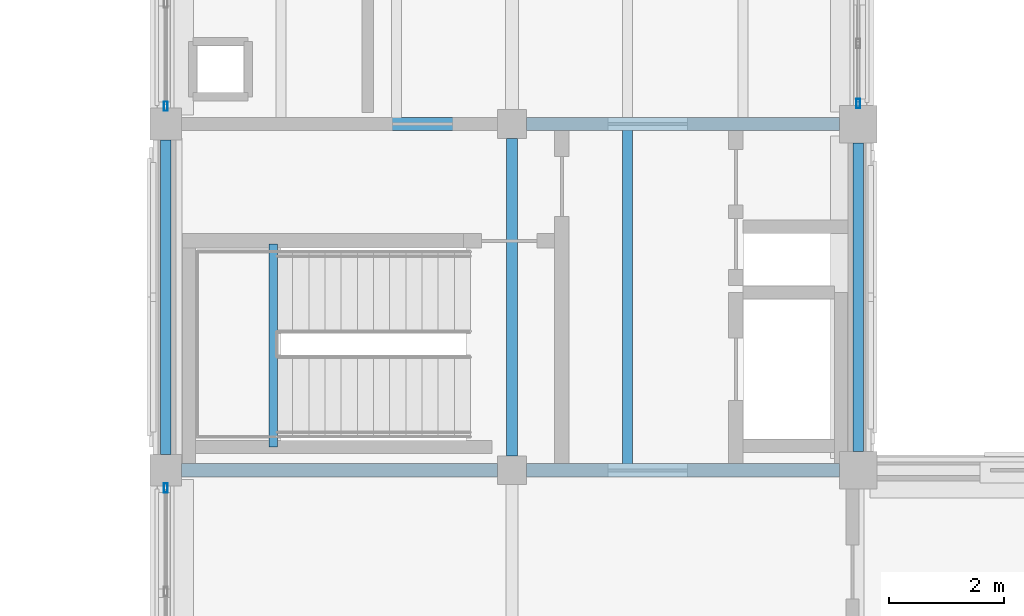
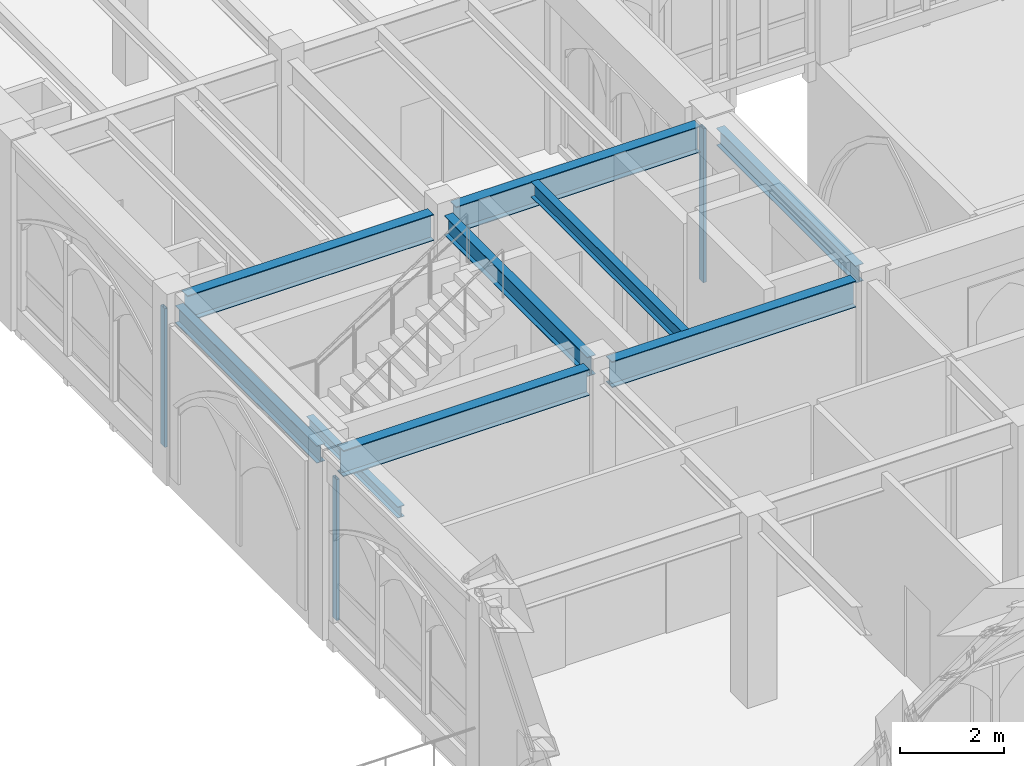
# One storey, part 45 of 143: 9 beams, 3 members, 3 elements without a shape of their own.
"""IFC4 building model written with IfcOpenShell, lengths in metres."""

from ifc_helpers import new_model, si_unit, direction, frame, origin, origin_2d, place, context, subcontext, project, spatial, hollow_rectangle, i_section, extrude, material, layer, layer_set, material_profile, profile_set, type_object, element, aggregate, save


model = new_model("IFC4")

# Units and contexts
model_context = context("Model", 3, precision=1e-05, world=origin(), true_north=direction((0.0, 1.0)))
body_context = subcontext(model_context, "Body", "Model", "MODEL_VIEW")
ifc_project = project(units=[si_unit("LENGTHUNIT", "METRE"), si_unit("AREAUNIT", "SQUARE_METRE"), si_unit("VOLUMEUNIT", "CUBIC_METRE"), si_unit("PLANEANGLEUNIT", "RADIAN"), si_unit("MASSUNIT", "GRAM", prefix="KILO")], contexts=[model_context])

# Site, building, storey
site_placement = place(None, origin())
site = spatial("IfcSite", under=ifc_project, at=site_placement, CompositionType="ELEMENT")
building_placement = place(site_placement, origin())
building = spatial("IfcBuilding", under=site, at=building_placement, Name="Cumevento Cable Car Station", CompositionType="ELEMENT")
storey_placement = place(building_placement, frame((0.0, 0.0, 9.0)))
storey = spatial("IfcBuildingStorey", under=building, at=storey_placement, Name="L03", CompositionType="ELEMENT", Elevation=9.0)

# Curtain wall, member
ifc_material_1 = material(Name="Anodised Bronze Aluminium AW-6063-T6", Category="aluminium")
ifc_layer_1 = layer(ifc_material_1, 0.243896484375)
ifc_layer_set_1 = layer_set([ifc_layer_1], Name="Anodised Bronze Aluminium AW-6063-T6")
curtain_wall_type_1 = type_object("IfcCurtainWallType", Name="Lancet Curtain Wall CW-15 1610", PredefinedType="NOTDEFINED", material=ifc_layer_set_1)
curtain_wall_1_placement = place(storey_placement, origin())
curtain_wall_1 = element("IfcCurtainWall", 1, at=curtain_wall_1_placement, inside=storey, type_object=curtain_wall_type_1, Name="Lancet Curtain Wall CW-15 L03 #126", PredefinedType="NOTDEFINED")
ifc_material_2 = material(Name="Anodised Bronze Aluminium AW-6063-T6", Category="aluminium")
ifc_material_profile_1 = material_profile(ifc_material_2, hollow_rectangle(XDim=0.06494140625, YDim=0.159912109375, WallThickness=0.00390625, at=origin_2d()), Name="ALUM65x160x4")
ifc_profile_set_1 = profile_set([ifc_material_profile_1], Name="Anodised Bronze Aluminium AW-6063-T6")
member_type = type_object("IfcMemberType", Name="Curtain Mullion CWM-01 ALUM65x160x4", PredefinedType="MULLION", material=ifc_profile_set_1)
member_1_placement = place(storey_placement, frame((118.0, 20.6923828125, 0.4599609375), z_axis=(0.0, 0.0, 1.0), x_axis=(-1.0, 0.0, 0.0)))
member_1 = element("IfcMember", 2, at=member_1_placement, type_object=member_type, Name="CW-15 mullion 4", PredefinedType="MULLION", context=body_context, shape_type="SweptSolid", body=[
    extrude(hollow_rectangle(XDim=0.06494140625, YDim=0.159912109375, WallThickness=0.00390625, at=origin_2d()), origin(), (0.0, 0.0, 1.0), 3.318115234375),
])
aggregate(curtain_wall_1, [member_1])

ifc_material_3 = material(Name="Anodised Bronze Aluminium AW-6063-T6", Category="aluminium")
ifc_layer_2 = layer(ifc_material_3, 0.25)
ifc_layer_set_2 = layer_set([ifc_layer_2], Name="Anodised Bronze Aluminium AW-6063-T6")
curtain_wall_type_2 = type_object("IfcCurtainWallType", Name="Lancet Curtain Wall CW-16 1650", PredefinedType="NOTDEFINED", material=ifc_layer_set_2)
curtain_wall_2_placement = place(storey_placement, origin())
curtain_wall_2 = element("IfcCurtainWall", 3, at=curtain_wall_2_placement, inside=storey, type_object=curtain_wall_type_2, Name="Lancet Curtain Wall CW-16 L03 #127", PredefinedType="NOTDEFINED")
member_2_placement = place(storey_placement, frame((118.0, 27.3076171875, 0.52001953125), z_axis=(0.0, 0.0, 1.0), x_axis=(-1.0, 0.0, 0.0)))
member_2 = element("IfcMember", 4, at=member_2_placement, type_object=member_type, Name="CW-16 mullion 1", PredefinedType="MULLION", context=body_context, shape_type="SweptSolid", body=[
    extrude(hollow_rectangle(XDim=0.06494140625, YDim=0.159912109375, WallThickness=0.00390625, at=origin_2d()), origin(), (0.0, 0.0, 1.0), 3.258056640625),
])
aggregate(curtain_wall_2, [member_2])

ifc_material_4 = material(Name="Anodised Bronze Aluminium AW-6063-T6", Category="aluminium")
ifc_layer_3 = layer(ifc_material_4, 0.159912109375)
ifc_layer_set_3 = layer_set([ifc_layer_3], Name="Anodised Bronze Aluminium AW-6063-T6")
curtain_wall_type_3 = type_object("IfcCurtainWallType", Name="Lancet Curtain Wall CW-01 1050", PredefinedType="NOTDEFINED", material=ifc_layer_set_3)
curtain_wall_3_placement = place(storey_placement, origin())
curtain_wall_3 = element("IfcCurtainWall", 5, at=curtain_wall_3_placement, inside=storey, type_object=curtain_wall_type_3, Name="Lancet Curtain Wall CW-01 L03 #128", PredefinedType="NOTDEFINED")
member_3_placement = place(storey_placement, frame((130.0, 27.357421875, 0.159912109375), z_axis=(0.0, 0.0, 1.0), x_axis=(1.0, 0.0, 0.0)))
member_3 = element("IfcMember", 6, at=member_3_placement, type_object=member_type, Name="CW-01 mullion 6", PredefinedType="MULLION", context=body_context, shape_type="SweptSolid", body=[
    extrude(hollow_rectangle(XDim=0.06494140625, YDim=0.159912109375, WallThickness=0.00390625, at=origin_2d()), origin(), (0.0, 0.0, 1.0), 3.6181640625),
])
aggregate(curtain_wall_3, [member_3])

# Beams
ifc_material_5 = material(Name="Steel ASTM A572 Grade 50", Category="steel")
ifc_material_profile_2 = material_profile(ifc_material_5, i_section(OverallWidth=0.22998046875, OverallDepth=0.616943359375, WebThickness=0.01318359375, FlangeThickness=0.022216796875, at=origin_2d()), Name="W610x140.0")
ifc_profile_set_2 = profile_set([ifc_material_profile_2], Name="Steel ASTM A572 Grade 50")
beam_type_1 = type_object("IfcBeamType", Name="Structural Beam BM-01 W610x140.0", PredefinedType="BEAM", material=ifc_profile_set_2)
beam_1_placement = place(storey_placement, frame((118.27490234375, 21.0, 3.87646484375), z_axis=(1.0, 0.0, 0.0), x_axis=(0.0, 1.0, 0.0)))
element("IfcBeam", 7, at=beam_1_placement, inside=storey, type_object=beam_type_1, Name="Beam BM-01 L03 #1128", PredefinedType="BEAM", context=body_context, shape_type="SweptSolid", body=[
    extrude(i_section(OverallWidth=0.22998046875, OverallDepth=0.616943359375, WebThickness=0.01318359375, FlangeThickness=0.022216796875, at=origin_2d()), origin(), (0.0, 0.0, 1.0), 5.47509765625),
])
beam_2_placement = place(storey_placement, frame((124.25, 21.0, 3.87646484375), z_axis=(1.0, 0.0, 0.0), x_axis=(0.0, 1.0, 0.0)))
element("IfcBeam", 8, at=beam_2_placement, inside=storey, type_object=beam_type_1, Name="Beam BM-01 L03 #1129", PredefinedType="BEAM", context=body_context, shape_type="SweptSolid", body=[
    extrude(i_section(OverallWidth=0.22998046875, OverallDepth=0.616943359375, WebThickness=0.01318359375, FlangeThickness=0.022216796875, at=origin_2d()), origin(), (0.0, 0.0, 1.0), 5.425048828125),
])
beam_3_placement = place(storey_placement, frame((118.27490234375, 27.0, 3.87646484375), z_axis=(1.0, 0.0, 0.0), x_axis=(0.0, 1.0, 0.0)))
element("IfcBeam", 9, at=beam_3_placement, inside=storey, type_object=beam_type_1, Name="Beam BM-01 L03 #1139", PredefinedType="BEAM", context=body_context, shape_type="SweptSolid", body=[
    extrude(i_section(OverallWidth=0.22998046875, OverallDepth=0.616943359375, WebThickness=0.01318359375, FlangeThickness=0.022216796875, at=origin_2d()), origin(), (0.0, 0.0, 1.0), 5.47509765625),
])
beam_4_placement = place(storey_placement, frame((124.25, 27.0, 3.87646484375), z_axis=(1.0, 0.0, 0.0), x_axis=(0.0, 1.0, 0.0)))
element("IfcBeam", 10, at=beam_4_placement, inside=storey, type_object=beam_type_1, Name="Beam BM-01 L03 #1140", PredefinedType="BEAM", context=body_context, shape_type="SweptSolid", body=[
    extrude(i_section(OverallWidth=0.22998046875, OverallDepth=0.616943359375, WebThickness=0.01318359375, FlangeThickness=0.022216796875, at=origin_2d()), origin(), (0.0, 0.0, 1.0), 5.425048828125),
])
ifc_material_6 = material(Name="Steel ASTM A572 Grade 50", Category="steel")
ifc_material_profile_3 = material_profile(ifc_material_6, i_section(OverallWidth=0.18994140625, OverallDepth=0.45703125, WebThickness=0.009033203125, FlangeThickness=0.014404296875, at=origin_2d()), Name="W460x74.0")
ifc_profile_set_3 = profile_set([ifc_material_profile_3], Name="Steel ASTM A572 Grade 50")
beam_type_2 = type_object("IfcBeamType", Name="Structural Beam BM-04 W460x74.0", PredefinedType="BEAM", material=ifc_profile_set_3)
beam_5_placement = place(storey_placement, frame((124.0, 21.25, 3.95654296875), z_axis=(0.0, 1.0, 0.0), x_axis=(-1.0, 0.0, 0.0)))
element("IfcBeam", 11, at=beam_5_placement, inside=storey, type_object=beam_type_2, Name="Beam BM-04 L03 #1142", PredefinedType="BEAM", context=body_context, shape_type="SweptSolid", body=[
    extrude(i_section(OverallWidth=0.18994140625, OverallDepth=0.45703125, WebThickness=0.009033203125, FlangeThickness=0.014404296875, at=origin_2d()), origin(), (0.0, 0.0, 1.0), 5.5),
])
ifc_material_7 = material(Name="Steel ASTM A572 Grade 50", Category="steel")
ifc_material_profile_4 = material_profile(ifc_material_7, i_section(OverallWidth=0.14794921875, OverallDepth=0.26611328125, WebThickness=0.007568359375, FlangeThickness=0.012939453125, at=origin_2d()), Name="W250x44.8")
ifc_profile_set_4 = profile_set([ifc_material_profile_4], Name="Steel ASTM A572 Grade 50")
beam_type_3 = type_object("IfcBeamType", Name="Structural Beam BM-07 W250x44.8", PredefinedType="BEAM", material=ifc_profile_set_4)
beam_6_placement = place(storey_placement, frame((119.860107421875, 21.39990234375, 1.885986328125), z_axis=(0.0, 1.0, 0.0), x_axis=(-1.0, 0.0, 0.0)))
element("IfcBeam", 12, at=beam_6_placement, inside=storey, type_object=beam_type_3, Name="Core Stair Half-Landing Trimmer ST-05-L03", PredefinedType="BEAM", context=body_context, shape_type="SweptSolid", body=[
    extrude(i_section(OverallWidth=0.14794921875, OverallDepth=0.26611328125, WebThickness=0.007568359375, FlangeThickness=0.012939453125, at=origin_2d()), origin(), (0.0, 0.0, 1.0), 3.52001953125),
])
ifc_material_8 = material(Name="Steel ASTM A572 Grade 50", Category="steel")
ifc_material_profile_5 = material_profile(ifc_material_8, i_section(OverallWidth=0.1708984375, OverallDepth=0.35498046875, WebThickness=0.007080078125, FlangeThickness=0.01171875, at=origin_2d()), Name="W360x51.0")
ifc_profile_set_5 = profile_set([ifc_material_profile_5], Name="Steel ASTM A572 Grade 50")
beam_type_4 = type_object("IfcBeamType", Name="Structural Joist JS-01 W360x51.0", PredefinedType="JOIST", material=ifc_profile_set_5)
beam_7_placement = place(storey_placement, frame((126.0, 21.10302734375, 4.007568359375), z_axis=(0.0, 1.0, 0.0), x_axis=(-1.0, 0.0, 0.0)))
element("IfcBeam", 13, at=beam_7_placement, inside=storey, type_object=beam_type_4, Name="Composite Floor Joist JS-01 L03 #1296", PredefinedType="JOIST", context=body_context, shape_type="SweptSolid", body=[
    extrude(i_section(OverallWidth=0.1708984375, OverallDepth=0.35498046875, WebThickness=0.007080078125, FlangeThickness=0.01171875, at=origin_2d()), origin(), (0.0, 0.0, 1.0), 5.7939453125),
])
ifc_material_9 = material(Name="Steel ASTM A572 Grade 50", Category="steel")
ifc_material_profile_6 = material_profile(ifc_material_9, i_section(OverallWidth=0.177978515625, OverallDepth=0.406982421875, WebThickness=0.0078125, FlangeThickness=0.0126953125, at=origin_2d()), Name="W410x60.0")
ifc_profile_set_6 = profile_set([ifc_material_profile_6], Name="Steel ASTM A572 Grade 50")
beam_type_5 = type_object("IfcBeamType", Name="Structural Spandrel SP-01 W410x60.0", PredefinedType="SPANDREL", material=ifc_profile_set_6)
beam_8_placement = place(storey_placement, frame((118.0, 21.27490234375, 3.9814453125), z_axis=(0.0, 1.0, 0.0), x_axis=(-1.0, 0.0, 0.0)))
element("IfcBeam", 14, at=beam_8_placement, inside=storey, type_object=beam_type_5, Name="Beam SP-01 L03 #1141", PredefinedType="SPANDREL", context=body_context, shape_type="SweptSolid", body=[
    extrude(i_section(OverallWidth=0.177978515625, OverallDepth=0.406982421875, WebThickness=0.0078125, FlangeThickness=0.0126953125, at=origin_2d()), origin(), (0.0, 0.0, 1.0), 5.4501953125),
])
beam_9_placement = place(storey_placement, frame((130.0, 21.324951171875, 3.9814453125), z_axis=(0.0, 1.0, 0.0), x_axis=(-1.0, 0.0, 0.0)))
element("IfcBeam", 15, at=beam_9_placement, inside=storey, type_object=beam_type_5, Name="Beam SP-01 L03 #1143", PredefinedType="SPANDREL", context=body_context, shape_type="SweptSolid", body=[
    extrude(i_section(OverallWidth=0.177978515625, OverallDepth=0.406982421875, WebThickness=0.0078125, FlangeThickness=0.0126953125, at=origin_2d()), origin(), (0.0, 0.0, 1.0), 5.35009765625),
])

save(model, "model.ifc")
